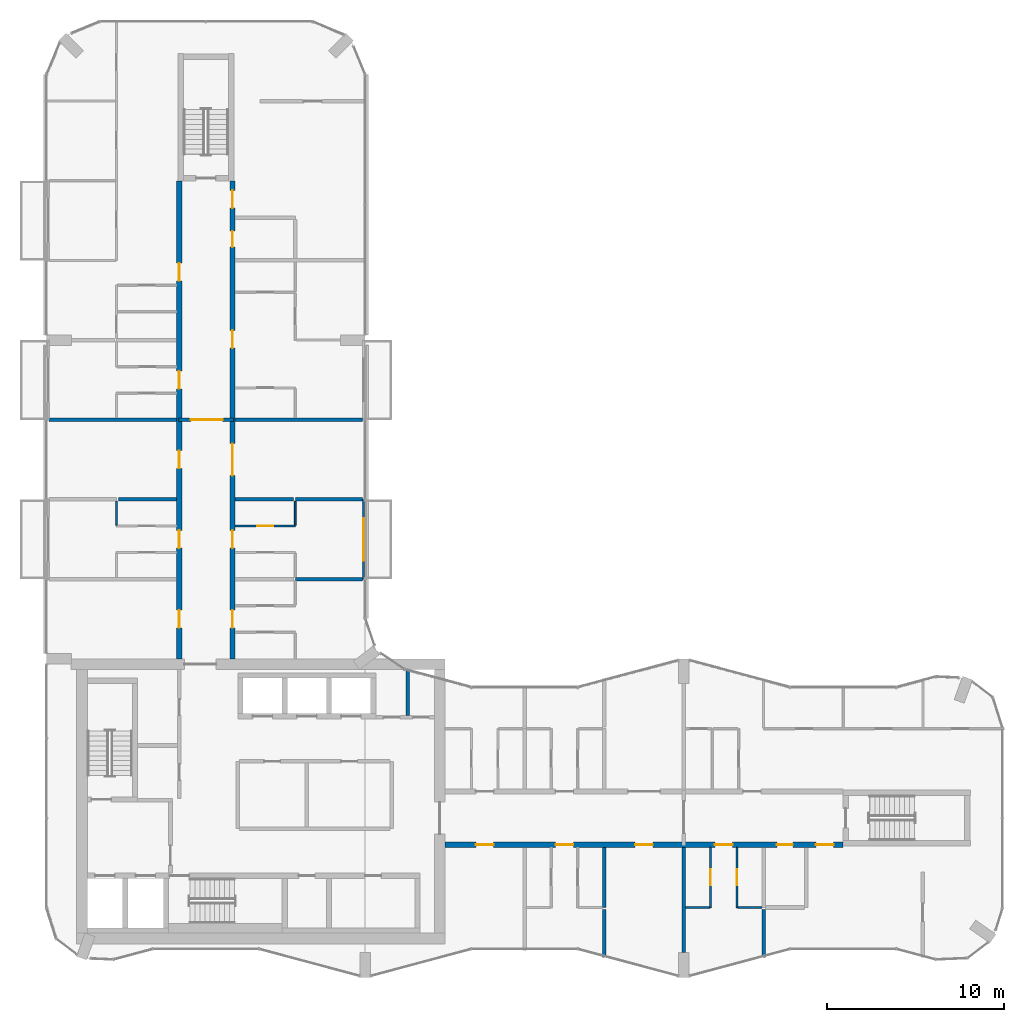
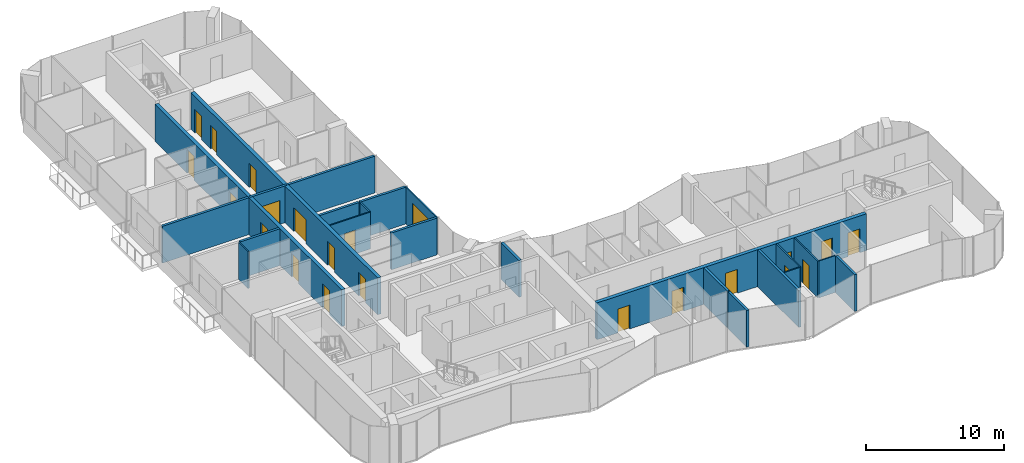
# One storey, part 11 of 16: 23 walls, 22 doors, 22 openings.
"""IFC4 building model written with IfcOpenShell, lengths in metres."""

import ifcopenshell
import ifcopenshell.guid

model = None  # the IFC model being written
_history = None  # IfcOwnerHistory: only IFC2X3 demands one
_inside = {}  # id of a spatial element -> (the spatial element, [elements in it])
_under = {}  # id of a project, library or spatial element -> (it, [spatial elements below it])
_declared = {}  # id of a project -> (the project, [libraries it declares])
_typed = {}  # id of a type object -> (the type object, [elements of that type])
_made_of = {}  # id of a material, layer set ... -> (it, [elements and type objects made of it])


def new_model(schema):
    """Start an empty IFC model of exactly this schema.

    Asked for "IFC4X3", IfcOpenShell would pick the latest addendum, in which some entities
    have other attributes; the version numbers below select the first issue.
    IFC2X3 requires an IfcOwnerHistory on every rooted entity: one is made here for all.
    """
    global model, _history
    if schema == "IFC4X3":
        model = ifcopenshell.file(schema_version=(4, 3, 0, 0))
    else:
        model = ifcopenshell.file(schema=schema)
    _inside.clear()
    _under.clear()
    _declared.clear()
    _typed.clear()
    _made_of.clear()
    _history = None
    if model.schema == "IFC2X3":
        org = make("IfcOrganization", Name="unknown")
        user = make(
            "IfcPersonAndOrganization",
            ThePerson=make("IfcPerson", FamilyName="unknown"),
            TheOrganization=org,
        )
        app = make(
            "IfcApplication",
            ApplicationDeveloper=org,
            Version="unknown",
            ApplicationFullName="unknown",
            ApplicationIdentifier="unknown",
        )
        _history = make(
            "IfcOwnerHistory",
            OwningUser=user,
            OwningApplication=app,
            ChangeAction="ADDED",
            CreationDate=0,
        )
    return model


def make(cls, **values):
    """One entity of the class cls with the attributes given. An attribute that is None is left unset."""
    return model.create_entity(
        cls, **{name: value for name, value in values.items() if value is not None}
    )


def rooted(cls, **values):
    """An entity with a GlobalId (a new one), such as an element, a storey or a relation."""
    return make(cls, GlobalId=ifcopenshell.guid.new(), OwnerHistory=_history, **values)


def si_unit(unit_type, name, prefix=None):
    """IfcSIUnit, for example si_unit("LENGTHUNIT", "METRE", prefix="MILLI")."""
    return make("IfcSIUnit", UnitType=unit_type, Prefix=prefix, Name=name)


def assignment(units):
    """IfcUnitAssignment: the units of a project."""
    return None if units is None else make("IfcUnitAssignment", Units=units)


def point(xyz):
    """IfcCartesianPoint."""
    return None if xyz is None else make("IfcCartesianPoint", Coordinates=xyz)


def direction(xyz):
    """IfcDirection."""
    return None if xyz is None else make("IfcDirection", DirectionRatios=xyz)


def frame(location, z_axis=None, x_axis=None):
    """IfcAxis2Placement3D, a coordinate frame: its origin and axes. An axis left out is left unset."""
    return make(
        "IfcAxis2Placement3D",
        Location=point(location),
        Axis=direction(z_axis),
        RefDirection=direction(x_axis),
    )


def frame_2d(location, x_axis=None):
    """IfcAxis2Placement2D, a coordinate frame in the plane: its origin and x axis."""
    return make(
        "IfcAxis2Placement2D", Location=point(location), RefDirection=direction(x_axis)
    )


def origin():
    """The frame at (0, 0, 0) with its axes left unset."""
    return frame((0.0, 0.0, 0.0))


def place(relative_to, where):
    """IfcLocalPlacement: puts the frame where relative to a parent placement (None: the world)."""
    return make(
        "IfcLocalPlacement", PlacementRelTo=relative_to, RelativePlacement=where
    )


def context(
    kind, dimensions, precision=None, world=None, true_north=None, identifier=None
):
    """IfcGeometricRepresentationContext, for example the 3D "Model" context."""
    return make(
        "IfcGeometricRepresentationContext",
        ContextIdentifier=identifier,
        ContextType=kind,
        CoordinateSpaceDimension=dimensions,
        Precision=precision,
        WorldCoordinateSystem=world,
        TrueNorth=true_north,
    )


def subcontext(parent, identifier, kind, view, scale=None):
    """IfcGeometricRepresentationSubContext, for example "Body" below "Model"."""
    return make(
        "IfcGeometricRepresentationSubContext",
        ContextIdentifier=identifier,
        ContextType=kind,
        ParentContext=parent,
        TargetScale=scale,
        TargetView=view,
    )


def project(units=None, contexts=None):
    """IfcProject with its units and contexts."""
    return rooted(
        "IfcProject",
        Name="project",
        RepresentationContexts=contexts,
        UnitsInContext=assignment(units),
    )


def spatial(cls, under=None, at=None, **own):
    """A site, building, storey or space (cls), placed at a placement, below another one or the project."""
    s = rooted(cls, ObjectPlacement=at, **own)
    if under is not None:
        _under.setdefault(under.id(), (under, []))[1].append(s)
    return s


def profile(cls, at=None, kind="AREA", **sizes):
    """A parametric profile (cls). Its sizes go by their IFC names, for example OverallWidth=200.0."""
    return make(cls, ProfileType=kind, Position=at, **sizes)


def rectangle(**sizes):
    """IfcRectangleProfileDef."""
    return profile("IfcRectangleProfileDef", **sizes)


def extrude(swept, where, along, depth):
    """IfcExtrudedAreaSolid: the profile swept, set in the frame where, extruded along a direction by depth."""
    return make(
        "IfcExtrudedAreaSolid",
        SweptArea=swept,
        Position=where,
        ExtrudedDirection=direction(along),
        Depth=depth,
    )


def shape(context_of_items, identifier, shape_type, items):
    """IfcShapeRepresentation: the items that make up one representation, for example the "Body"."""
    return make(
        "IfcShapeRepresentation",
        ContextOfItems=context_of_items,
        RepresentationIdentifier=identifier,
        RepresentationType=shape_type,
        Items=items,
    )


def material(Name=None, Category=None):
    """IfcMaterial."""
    return make("IfcMaterial", Name=Name, Category=Category)


def layer(
    of_material, thickness, ventilated=None, Name=None, Category=None, Priority=None
):
    """IfcMaterialLayer: one layer of a wall or slab, of a material (None: an air gap)."""
    return make(
        "IfcMaterialLayer",
        Material=of_material,
        LayerThickness=thickness,
        IsVentilated=ventilated,
        Name=Name,
        Category=Category,
        Priority=Priority,
    )


def layer_set(layers, Name=None):
    """IfcMaterialLayerSet."""
    return make("IfcMaterialLayerSet", MaterialLayers=layers, LayerSetName=Name)


def made_of(thing, what):
    """Note that an element or type object is made of a material, layer set ...; save() writes the relation."""
    if what is not None:
        _made_of.setdefault(what.id(), (what, []))[1].append(thing)
    return thing


def type_object(cls, material=None, **own):
    """A type object (cls), such as IfcWallType, which elements share."""
    return made_of(rooted(cls, **own), material)


def element(
    cls,
    number,
    at=None,
    inside=None,
    cuts=None,
    type_object=None,
    material=None,
    context=None,
    identifier="Body",
    shape_type=None,
    held_by="IfcProductDefinitionShape",
    body=None,
    shapes=None,
    **own,
):
    """One element of the class cls, such as IfcWall. Its Tag is "e" and its number.

    at: its placement. inside: the storey or other place that contains it. cuts: it is an
    opening in that element (IfcRelVoidsElement). A single representation is given by context,
    identifier, shape_type and body (its items); several are given by shapes. held_by: the class
    of the entity that holds the representations. save() writes the other relations.
    """
    e = rooted(cls, Tag="e%d" % number, ObjectPlacement=at, **own)
    if body is not None:
        shapes = [shape(context, identifier, shape_type, body)]
    if shapes is not None:
        e.Representation = make(held_by, Representations=shapes)
    if inside is not None:
        _inside.setdefault(inside.id(), (inside, []))[1].append(e)
    if cuts is not None:
        rooted(
            "IfcRelVoidsElement", RelatingBuildingElement=cuts, RelatedOpeningElement=e
        )
    if type_object is not None:
        _typed.setdefault(type_object.id(), (type_object, []))[1].append(e)
    return made_of(e, material)


def fill(opening, filler):
    """IfcRelFillsElement: the door or window that sits in an opening."""
    return rooted(
        "IfcRelFillsElement",
        RelatingOpeningElement=opening,
        RelatedBuildingElement=filler,
    )


def aggregate(whole, parts):
    """IfcRelAggregates: a whole, such as a stair, and the parts it consists of."""
    return rooted("IfcRelAggregates", RelatingObject=whole, RelatedObjects=parts)


def save(model, path):
    """Write the relations noted so far, then the file.

    IfcRelAggregates (storeys below a building ...), IfcRelContainedInSpatialStructure (elements
    in a storey), IfcRelDefinesByType, IfcRelAssociatesMaterial and IfcRelDeclares: one each for
    every whole, place, type object, material and project.
    """
    for whole, parts in _under.values():
        aggregate(whole, parts)
    for where, things in _inside.values():
        rooted(
            "IfcRelContainedInSpatialStructure",
            RelatedElements=things,
            RelatingStructure=where,
        )
    for kind, things in _typed.values():
        rooted("IfcRelDefinesByType", RelatedObjects=things, RelatingType=kind)
    for what, things in _made_of.values():
        rooted("IfcRelAssociatesMaterial", RelatedObjects=things, RelatingMaterial=what)
    for by, libraries in _declared.values():
        rooted("IfcRelDeclares", RelatingContext=by, RelatedDefinitions=libraries)
    model.write(path)


model = new_model("IFC4")

# Units and contexts
model_context = context("Model", 3, precision=1e-05, world=origin(), true_north=direction((0.0, 1.0)))
body_context = subcontext(model_context, "Body", "Model", "MODEL_VIEW")
ifc_project = project(units=[si_unit("LENGTHUNIT", "METRE"), si_unit("AREAUNIT", "SQUARE_METRE"), si_unit("VOLUMEUNIT", "CUBIC_METRE"), si_unit("PLANEANGLEUNIT", "RADIAN"), si_unit("MASSUNIT", "GRAM", prefix="KILO")], contexts=[model_context])

# Site, building, storey
site_placement = place(None, origin())
site = spatial("IfcSite", under=ifc_project, at=site_placement, CompositionType="ELEMENT")
building_placement = place(site_placement, origin())
building = spatial("IfcBuilding", under=site, at=building_placement, Name="Plateau Cross Towers", CompositionType="ELEMENT")
storey_placement = place(building_placement, frame((0.0, 0.0, 160.39990234375)))
storey = spatial("IfcBuildingStorey", under=building, at=storey_placement, Name="L41", CompositionType="ELEMENT", Elevation=160.39990234375)

# Wall, opening, door
ifc_material_1 = material(Name="Aluminium framed glazing", Category="aluminium")
ifc_layer_1 = layer(ifc_material_1, 0.10009765625)
ifc_layer_set_1 = layer_set([ifc_layer_1], Name="Aluminium framed glazing")
wall_type_1 = type_object("IfcWallType", Name="Balcony screen wall 100", PredefinedType="STANDARD", material=ifc_layer_set_1)
wall_1_placement = place(storey_placement, frame((17.89990234375, 27.0, 0.0), z_axis=(0.0, 0.0, 1.0), x_axis=(0.0, -1.0, 0.0)))
wall_1 = element("IfcWall", 1, at=wall_1_placement, inside=storey, type_object=wall_type_1, Name="Balcony screen wall A-BAL-L41-04", PredefinedType="STANDARD", context=body_context, shape_type="SweptSolid", body=[
    extrude(rectangle(XDim=4.5, YDim=0.10009765625, at=frame_2d((2.25, 0.0))), origin(), (0.0, 0.0, 1.0), 3.25),
])
opening_1_placement = place(wall_1_placement, frame((1.050048828125, 0.0, 0.0)))
opening_1 = element("IfcOpeningElement", 2, at=opening_1_placement, cuts=wall_1, Name="Opening D-B24", PredefinedType="OPENING", context=body_context, shape_type="SweptSolid", body=[
    extrude(rectangle(XDim=2.39990234375, YDim=2.39990234375, at=frame_2d((1.199951171875, 1.199951171875))), frame((0.0, 0.06005859375, 0.0), z_axis=(0.0, -1.0, 0.0), x_axis=(1.0, 0.0, 0.0)), (0.0, 0.0, 1.0), 0.1201171875),
])
ifc_material_2 = material(Name="Aluminium frame, double glazing", Category="aluminium")
door_type_1 = type_object("IfcDoorType", Name="Balcony sliding door 2400", OperationType="NOTDEFINED", PredefinedType="DOOR", material=ifc_material_2)
door_1_placement = place(opening_1_placement, origin())
door_1 = element("IfcDoor", 3, at=door_1_placement, inside=storey, type_object=door_type_1, Name="Balcony door A-BAL-L41-04", OperationType="SINGLE_SWING_LEFT", OverallHeight=2.39990234375, OverallWidth=2.39990234375, PredefinedType="DOOR", context=body_context, shape_type="SweptSolid", body=[
    extrude(rectangle(XDim=2.39990234375, YDim=2.39990234375, at=frame_2d((1.199951171875, 1.199951171875))), frame((0.0, 0.02490234375, 0.0), z_axis=(0.0, -1.0, 0.0), x_axis=(1.0, 0.0, 0.0)), (0.0, 0.0, 1.0), 0.050048828125),
])
fill(opening_1, door_1)

# Wall
ifc_material_3 = material(Name="Concrete block, plastered both sides", Category="concrete")
ifc_layer_2 = layer(ifc_material_3, 0.199951171875)
ifc_layer_set_2 = layer_set([ifc_layer_2], Name="Concrete block, plastered both sides")
wall_type_2 = type_object("IfcWallType", Name="Core partition 200", PredefinedType="PARTITIONING", material=ifc_layer_set_2)
wall_2_placement = place(storey_placement, frame((20.39990234375, 14.800048828125, 0.0), z_axis=(0.0, 0.0, 1.0), x_axis=(0.0, 1.0, 0.0)))
element("IfcWall", 4, at=wall_2_placement, inside=storey, type_object=wall_type_2, Name="Core partition", PredefinedType="PARTITIONING", context=body_context, shape_type="SweptSolid", body=[
    extrude(rectangle(XDim=2.599853515625, YDim=0.199951171875, at=frame_2d((1.2998046875, 0.0))), origin(), (0.0, 0.0, 1.0), 3.25),
])

# Wall, openings, doors
ifc_material_4 = material(Name="Concrete C60/75", Category="concrete")
ifc_layer_3 = layer(ifc_material_4, 0.300048828125)
ifc_layer_set_3 = layer_set([ifc_layer_3], Name="Concrete C60/75")
wall_type_3 = type_object("IfcWallType", Name="Corridor wall 300", PredefinedType="SHEAR", material=ifc_layer_set_3)
wall_3_placement = place(storey_placement, frame((22.5, 7.5, 0.0), z_axis=(0.0, 0.0, 1.0), x_axis=(1.0, 0.0, 0.0)))
wall_3 = element("IfcWall", 5, at=wall_3_placement, inside=storey, type_object=wall_type_3, Name="A-cw-S1@L41", PredefinedType="SHEAR", context=body_context, shape_type="SweptSolid", body=[
    extrude(rectangle(XDim=22.5, YDim=0.300048828125, at=frame_2d((11.25, 0.0))), origin(), (0.0, 0.0, 1.0), 3.25),
])
opening_2_placement = place(wall_3_placement, frame((1.75, 0.0, 0.0)))
opening_2 = element("IfcOpeningElement", 6, at=opening_2_placement, cuts=wall_3, Name="Opening 41-01", PredefinedType="OPENING", context=body_context, shape_type="SweptSolid", body=[
    extrude(rectangle(XDim=1.0, YDim=2.10009765625, at=frame_2d((0.5, 1.050048828125))), frame((0.0, 0.159912109375, 0.0), z_axis=(0.0, -1.0, 0.0), x_axis=(1.0, 0.0, 0.0)), (0.0, 0.0, 1.0), 0.320068359375),
])
opening_3_placement = place(wall_3_placement, frame((6.25, 0.0, 0.0)))
opening_3 = element("IfcOpeningElement", 7, at=opening_3_placement, cuts=wall_3, Name="Opening 41-02", PredefinedType="OPENING", context=body_context, shape_type="SweptSolid", body=[
    extrude(rectangle(XDim=1.0, YDim=2.10009765625, at=frame_2d((0.5, 1.050048828125))), frame((0.0, 0.159912109375, 0.0), z_axis=(0.0, -1.0, 0.0), x_axis=(1.0, 0.0, 0.0)), (0.0, 0.0, 1.0), 0.320068359375),
])
opening_4_placement = place(wall_3_placement, frame((10.75, 0.0, 0.0)))
opening_4 = element("IfcOpeningElement", 8, at=opening_4_placement, cuts=wall_3, Name="Opening 41-03", PredefinedType="OPENING", context=body_context, shape_type="SweptSolid", body=[
    extrude(rectangle(XDim=1.0, YDim=2.10009765625, at=frame_2d((0.5, 1.050048828125))), frame((0.0, 0.159912109375, 0.0), z_axis=(0.0, -1.0, 0.0), x_axis=(1.0, 0.0, 0.0)), (0.0, 0.0, 1.0), 0.320068359375),
])
opening_5_placement = place(wall_3_placement, frame((15.25, 0.0, 0.0)))
opening_5 = element("IfcOpeningElement", 9, at=opening_5_placement, cuts=wall_3, Name="Opening 41-04", PredefinedType="OPENING", context=body_context, shape_type="SweptSolid", body=[
    extrude(rectangle(XDim=1.0, YDim=2.10009765625, at=frame_2d((0.5, 1.050048828125))), frame((0.0, 0.159912109375, 0.0), z_axis=(0.0, -1.0, 0.0), x_axis=(1.0, 0.0, 0.0)), (0.0, 0.0, 1.0), 0.320068359375),
])
opening_6_placement = place(wall_3_placement, frame((18.75, 0.0, 0.0)))
opening_6 = element("IfcOpeningElement", 10, at=opening_6_placement, cuts=wall_3, Name="Opening 41-05", PredefinedType="OPENING", context=body_context, shape_type="SweptSolid", body=[
    extrude(rectangle(XDim=0.89990234375, YDim=2.10009765625, at=frame_2d((0.449951171875, 1.050048828125))), frame((0.0, 0.159912109375, 0.0), z_axis=(0.0, -1.0, 0.0), x_axis=(1.0, 0.0, 0.0)), (0.0, 0.0, 1.0), 0.320068359375),
])
opening_7_placement = place(wall_3_placement, frame((20.949951171875, 0.0, 0.0)))
opening_7 = element("IfcOpeningElement", 11, at=opening_7_placement, cuts=wall_3, Name="Opening 41-06", PredefinedType="OPENING", context=body_context, shape_type="SweptSolid", body=[
    extrude(rectangle(XDim=1.0, YDim=2.10009765625, at=frame_2d((0.5, 1.050048828125))), frame((0.0, 0.159912109375, 0.0), z_axis=(0.0, -1.0, 0.0), x_axis=(1.0, 0.0, 0.0)), (0.0, 0.0, 1.0), 0.320068359375),
])
ifc_material_5 = material(Name="Timber, fire-resisting leaf", Category="wood")
door_type_2 = type_object("IfcDoorType", Name="Flat entrance door 1000", OperationType="NOTDEFINED", PredefinedType="DOOR", material=ifc_material_5)
door_2_placement = place(opening_2_placement, origin())
door_2 = element("IfcDoor", 12, at=door_2_placement, inside=storey, type_object=door_type_2, Name="Door 41-01", OperationType="SINGLE_SWING_LEFT", OverallHeight=2.10009765625, OverallWidth=1.0, PredefinedType="DOOR", context=body_context, shape_type="SweptSolid", body=[
    extrude(rectangle(XDim=1.0, YDim=2.10009765625, at=frame_2d((0.5, 1.050048828125))), frame((0.0, 0.02490234375, 0.0), z_axis=(0.0, -1.0, 0.0), x_axis=(1.0, 0.0, 0.0)), (0.0, 0.0, 1.0), 0.050048828125),
])
fill(opening_2, door_2)
door_3_placement = place(opening_3_placement, origin())
door_3 = element("IfcDoor", 13, at=door_3_placement, inside=storey, type_object=door_type_2, Name="Door 41-02", OperationType="SINGLE_SWING_LEFT", OverallHeight=2.10009765625, OverallWidth=1.0, PredefinedType="DOOR", context=body_context, shape_type="SweptSolid", body=[
    extrude(rectangle(XDim=1.0, YDim=2.10009765625, at=frame_2d((0.5, 1.050048828125))), frame((0.0, 0.02490234375, 0.0), z_axis=(0.0, -1.0, 0.0), x_axis=(1.0, 0.0, 0.0)), (0.0, 0.0, 1.0), 0.050048828125),
])
fill(opening_3, door_3)
door_4_placement = place(opening_4_placement, origin())
door_4 = element("IfcDoor", 14, at=door_4_placement, inside=storey, type_object=door_type_2, Name="Door 41-03", OperationType="SINGLE_SWING_LEFT", OverallHeight=2.10009765625, OverallWidth=1.0, PredefinedType="DOOR", context=body_context, shape_type="SweptSolid", body=[
    extrude(rectangle(XDim=1.0, YDim=2.10009765625, at=frame_2d((0.5, 1.050048828125))), frame((0.0, 0.02490234375, 0.0), z_axis=(0.0, -1.0, 0.0), x_axis=(1.0, 0.0, 0.0)), (0.0, 0.0, 1.0), 0.050048828125),
])
fill(opening_4, door_4)
door_5_placement = place(opening_5_placement, origin())
door_5 = element("IfcDoor", 15, at=door_5_placement, inside=storey, type_object=door_type_2, Name="Door 41-04", OperationType="SINGLE_SWING_RIGHT", OverallHeight=2.10009765625, OverallWidth=1.0, PredefinedType="DOOR", context=body_context, shape_type="SweptSolid", body=[
    extrude(rectangle(XDim=1.0, YDim=2.10009765625, at=frame_2d((0.5, 1.050048828125))), frame((0.0, 0.02490234375, 0.0), z_axis=(0.0, -1.0, 0.0), x_axis=(1.0, 0.0, 0.0)), (0.0, 0.0, 1.0), 0.050048828125),
])
fill(opening_5, door_5)
door_6_placement = place(opening_7_placement, origin())
door_6 = element("IfcDoor", 16, at=door_6_placement, inside=storey, type_object=door_type_2, Name="Door 41-06", OperationType="SINGLE_SWING_RIGHT", OverallHeight=2.10009765625, OverallWidth=1.0, PredefinedType="DOOR", context=body_context, shape_type="SweptSolid", body=[
    extrude(rectangle(XDim=1.0, YDim=2.10009765625, at=frame_2d((0.5, 1.050048828125))), frame((0.0, 0.02490234375, 0.0), z_axis=(0.0, -1.0, 0.0), x_axis=(1.0, 0.0, 0.0)), (0.0, 0.0, 1.0), 0.050048828125),
])
fill(opening_7, door_6)
door_type_3 = type_object("IfcDoorType", Name="Flat floor service door 900", OperationType="NOTDEFINED", PredefinedType="DOOR", material=ifc_material_5)
door_7_placement = place(opening_6_placement, origin())
door_7 = element("IfcDoor", 17, at=door_7_placement, inside=storey, type_object=door_type_3, Name="Door 41-05", OperationType="SINGLE_SWING_RIGHT", OverallHeight=2.10009765625, OverallWidth=0.89990234375, PredefinedType="DOOR", context=body_context, shape_type="SweptSolid", body=[
    extrude(rectangle(XDim=0.89990234375, YDim=2.10009765625, at=frame_2d((0.449951171875, 1.050048828125))), frame((0.0, 0.02490234375, 0.0), z_axis=(0.0, -1.0, 0.0), x_axis=(1.0, 0.0, 0.0)), (0.0, 0.0, 1.0), 0.050048828125),
])
fill(opening_6, door_7)

wall_4_placement = place(storey_placement, frame((7.5, 18.0, 0.0), z_axis=(0.0, 0.0, 1.0), x_axis=(0.0, 1.0, 0.0)))
wall_4 = element("IfcWall", 18, at=wall_4_placement, inside=storey, type_object=wall_type_3, Name="A-cw-W1@L41", PredefinedType="SHEAR", context=body_context, shape_type="SweptSolid", body=[
    extrude(rectangle(XDim=27.0, YDim=0.300048828125, at=frame_2d((13.5, 0.0))), origin(), (0.0, 0.0, 1.0), 3.25),
])
opening_8_placement = place(wall_4_placement, frame((1.75, 0.0, 0.0)))
opening_8 = element("IfcOpeningElement", 19, at=opening_8_placement, cuts=wall_4, Name="Opening 41-11", PredefinedType="OPENING", context=body_context, shape_type="SweptSolid", body=[
    extrude(rectangle(XDim=1.0, YDim=2.10009765625, at=frame_2d((0.5, 1.050048828125))), frame((0.0, 0.159912109375, 0.0), z_axis=(0.0, -1.0, 0.0), x_axis=(1.0, 0.0, 0.0)), (0.0, 0.0, 1.0), 0.320068359375),
])
opening_9_placement = place(wall_4_placement, frame((6.25, 0.0, 0.0)))
opening_9 = element("IfcOpeningElement", 20, at=opening_9_placement, cuts=wall_4, Name="Opening 41-12", PredefinedType="OPENING", context=body_context, shape_type="SweptSolid", body=[
    extrude(rectangle(XDim=1.0, YDim=2.10009765625, at=frame_2d((0.5, 1.050048828125))), frame((0.0, 0.159912109375, 0.0), z_axis=(0.0, -1.0, 0.0), x_axis=(1.0, 0.0, 0.0)), (0.0, 0.0, 1.0), 0.320068359375),
])
opening_10_placement = place(wall_4_placement, frame((10.75, 0.0, 0.0)))
opening_10 = element("IfcOpeningElement", 21, at=opening_10_placement, cuts=wall_4, Name="Opening 41-13", PredefinedType="OPENING", context=body_context, shape_type="SweptSolid", body=[
    extrude(rectangle(XDim=1.0, YDim=2.10009765625, at=frame_2d((0.5, 1.050048828125))), frame((0.0, 0.159912109375, 0.0), z_axis=(0.0, -1.0, 0.0), x_axis=(1.0, 0.0, 0.0)), (0.0, 0.0, 1.0), 0.320068359375),
])
opening_11_placement = place(wall_4_placement, frame((15.25, 0.0, 0.0)))
opening_11 = element("IfcOpeningElement", 22, at=opening_11_placement, cuts=wall_4, Name="Opening 41-14", PredefinedType="OPENING", context=body_context, shape_type="SweptSolid", body=[
    extrude(rectangle(XDim=1.0, YDim=2.10009765625, at=frame_2d((0.5, 1.050048828125))), frame((0.0, 0.159912109375, 0.0), z_axis=(0.0, -1.0, 0.0), x_axis=(1.0, 0.0, 0.0)), (0.0, 0.0, 1.0), 0.320068359375),
])
opening_12_placement = place(wall_4_placement, frame((21.35009765625, 0.0, 0.0)))
opening_12 = element("IfcOpeningElement", 23, at=opening_12_placement, cuts=wall_4, Name="Opening 41-15", PredefinedType="OPENING", context=body_context, shape_type="SweptSolid", body=[
    extrude(rectangle(XDim=1.0, YDim=2.10009765625, at=frame_2d((0.5, 1.050048828125))), frame((0.0, 0.159912109375, 0.0), z_axis=(0.0, -1.0, 0.0), x_axis=(1.0, 0.0, 0.0)), (0.0, 0.0, 1.0), 0.320068359375),
])
door_8_placement = place(opening_8_placement, origin())
door_8 = element("IfcDoor", 24, at=door_8_placement, inside=storey, type_object=door_type_2, Name="Door 41-11", OperationType="SINGLE_SWING_LEFT", OverallHeight=2.10009765625, OverallWidth=1.0, PredefinedType="DOOR", context=body_context, shape_type="SweptSolid", body=[
    extrude(rectangle(XDim=1.0, YDim=2.10009765625, at=frame_2d((0.5, 1.050048828125))), frame((0.0, 0.02490234375, 0.0), z_axis=(0.0, -1.0, 0.0), x_axis=(1.0, 0.0, 0.0)), (0.0, 0.0, 1.0), 0.050048828125),
])
fill(opening_8, door_8)
door_9_placement = place(opening_9_placement, origin())
door_9 = element("IfcDoor", 25, at=door_9_placement, inside=storey, type_object=door_type_2, Name="Door 41-12", OperationType="SINGLE_SWING_LEFT", OverallHeight=2.10009765625, OverallWidth=1.0, PredefinedType="DOOR", context=body_context, shape_type="SweptSolid", body=[
    extrude(rectangle(XDim=1.0, YDim=2.10009765625, at=frame_2d((0.5, 1.050048828125))), frame((0.0, 0.02490234375, 0.0), z_axis=(0.0, -1.0, 0.0), x_axis=(1.0, 0.0, 0.0)), (0.0, 0.0, 1.0), 0.050048828125),
])
fill(opening_9, door_9)
door_10_placement = place(opening_10_placement, origin())
door_10 = element("IfcDoor", 26, at=door_10_placement, inside=storey, type_object=door_type_2, Name="Door 41-13", OperationType="SINGLE_SWING_LEFT", OverallHeight=2.10009765625, OverallWidth=1.0, PredefinedType="DOOR", context=body_context, shape_type="SweptSolid", body=[
    extrude(rectangle(XDim=1.0, YDim=2.10009765625, at=frame_2d((0.5, 1.050048828125))), frame((0.0, 0.02490234375, 0.0), z_axis=(0.0, -1.0, 0.0), x_axis=(1.0, 0.0, 0.0)), (0.0, 0.0, 1.0), 0.050048828125),
])
fill(opening_10, door_10)
door_11_placement = place(opening_11_placement, origin())
door_11 = element("IfcDoor", 27, at=door_11_placement, inside=storey, type_object=door_type_2, Name="Door 41-14", OperationType="SINGLE_SWING_RIGHT", OverallHeight=2.10009765625, OverallWidth=1.0, PredefinedType="DOOR", context=body_context, shape_type="SweptSolid", body=[
    extrude(rectangle(XDim=1.0, YDim=2.10009765625, at=frame_2d((0.5, 1.050048828125))), frame((0.0, 0.02490234375, 0.0), z_axis=(0.0, -1.0, 0.0), x_axis=(1.0, 0.0, 0.0)), (0.0, 0.0, 1.0), 0.050048828125),
])
fill(opening_11, door_11)
door_12_placement = place(opening_12_placement, origin())
door_12 = element("IfcDoor", 28, at=door_12_placement, inside=storey, type_object=door_type_2, Name="Door 41-15", OperationType="SINGLE_SWING_RIGHT", OverallHeight=2.10009765625, OverallWidth=1.0, PredefinedType="DOOR", context=body_context, shape_type="SweptSolid", body=[
    extrude(rectangle(XDim=1.0, YDim=2.10009765625, at=frame_2d((0.5, 1.050048828125))), frame((0.0, 0.02490234375, 0.0), z_axis=(0.0, -1.0, 0.0), x_axis=(1.0, 0.0, 0.0)), (0.0, 0.0, 1.0), 0.050048828125),
])
fill(opening_12, door_12)

wall_5_placement = place(storey_placement, frame((10.5, 18.0, 0.0), z_axis=(0.0, 0.0, 1.0), x_axis=(0.0, 1.0, 0.0)))
wall_5 = element("IfcWall", 29, at=wall_5_placement, inside=storey, type_object=wall_type_3, Name="A-cw-W2@L41", PredefinedType="SHEAR", context=body_context, shape_type="SweptSolid", body=[
    extrude(rectangle(XDim=27.0, YDim=0.300048828125, at=frame_2d((13.5, 0.0))), origin(), (0.0, 0.0, 1.0), 3.25),
])
opening_13_placement = place(wall_5_placement, frame((1.75, 0.0, 0.0)))
opening_13 = element("IfcOpeningElement", 30, at=opening_13_placement, cuts=wall_5, Name="Opening 41-16", PredefinedType="OPENING", context=body_context, shape_type="SweptSolid", body=[
    extrude(rectangle(XDim=1.0, YDim=2.10009765625, at=frame_2d((0.5, 1.050048828125))), frame((0.0, 0.159912109375, 0.0), z_axis=(0.0, -1.0, 0.0), x_axis=(1.0, 0.0, 0.0)), (0.0, 0.0, 1.0), 0.320068359375),
])
opening_14_placement = place(wall_5_placement, frame((6.25, 0.0, 0.0)))
opening_14 = element("IfcOpeningElement", 31, at=opening_14_placement, cuts=wall_5, Name="Opening 41-17", PredefinedType="OPENING", context=body_context, shape_type="SweptSolid", body=[
    extrude(rectangle(XDim=1.0, YDim=2.10009765625, at=frame_2d((0.5, 1.050048828125))), frame((0.0, 0.159912109375, 0.0), z_axis=(0.0, -1.0, 0.0), x_axis=(1.0, 0.0, 0.0)), (0.0, 0.0, 1.0), 0.320068359375),
])
opening_15_placement = place(wall_5_placement, frame((10.35009765625, 0.0, 0.0)))
opening_15 = element("IfcOpeningElement", 32, at=opening_15_placement, cuts=wall_5, Name="Opening 41-18", PredefinedType="OPENING", context=body_context, shape_type="SweptSolid", body=[
    extrude(rectangle(XDim=1.800048828125, YDim=2.10009765625, at=frame_2d((0.89990234375, 1.050048828125))), frame((0.0, 0.159912109375, 0.0), z_axis=(0.0, -1.0, 0.0), x_axis=(1.0, 0.0, 0.0)), (0.0, 0.0, 1.0), 0.320068359375),
])
opening_16_placement = place(wall_5_placement, frame((17.550048828125, 0.0, 0.0)))
opening_16 = element("IfcOpeningElement", 33, at=opening_16_placement, cuts=wall_5, Name="Opening 41-19", PredefinedType="OPENING", context=body_context, shape_type="SweptSolid", body=[
    extrude(rectangle(XDim=1.0, YDim=2.10009765625, at=frame_2d((0.5, 1.050048828125))), frame((0.0, 0.159912109375, 0.0), z_axis=(0.0, -1.0, 0.0), x_axis=(1.0, 0.0, 0.0)), (0.0, 0.0, 1.0), 0.320068359375),
])
opening_17_placement = place(wall_5_placement, frame((23.25, 0.0, 0.0)))
opening_17 = element("IfcOpeningElement", 34, at=opening_17_placement, cuts=wall_5, Name="Opening 41-20", PredefinedType="OPENING", context=body_context, shape_type="SweptSolid", body=[
    extrude(rectangle(XDim=0.89990234375, YDim=2.10009765625, at=frame_2d((0.449951171875, 1.050048828125))), frame((0.0, 0.159912109375, 0.0), z_axis=(0.0, -1.0, 0.0), x_axis=(1.0, 0.0, 0.0)), (0.0, 0.0, 1.0), 0.320068359375),
])
opening_18_placement = place(wall_5_placement, frame((25.449951171875, 0.0, 0.0)))
opening_18 = element("IfcOpeningElement", 35, at=opening_18_placement, cuts=wall_5, Name="Opening 41-21", PredefinedType="OPENING", context=body_context, shape_type="SweptSolid", body=[
    extrude(rectangle(XDim=1.0, YDim=2.10009765625, at=frame_2d((0.5, 1.050048828125))), frame((0.0, 0.159912109375, 0.0), z_axis=(0.0, -1.0, 0.0), x_axis=(1.0, 0.0, 0.0)), (0.0, 0.0, 1.0), 0.320068359375),
])
door_13_placement = place(opening_13_placement, origin())
door_13 = element("IfcDoor", 36, at=door_13_placement, inside=storey, type_object=door_type_2, Name="Door 41-16", OperationType="SINGLE_SWING_LEFT", OverallHeight=2.10009765625, OverallWidth=1.0, PredefinedType="DOOR", context=body_context, shape_type="SweptSolid", body=[
    extrude(rectangle(XDim=1.0, YDim=2.10009765625, at=frame_2d((0.5, 1.050048828125))), frame((0.0, 0.02490234375, 0.0), z_axis=(0.0, -1.0, 0.0), x_axis=(1.0, 0.0, 0.0)), (0.0, 0.0, 1.0), 0.050048828125),
])
fill(opening_13, door_13)
door_14_placement = place(opening_14_placement, origin())
door_14 = element("IfcDoor", 37, at=door_14_placement, inside=storey, type_object=door_type_2, Name="Door 41-17", OperationType="SINGLE_SWING_LEFT", OverallHeight=2.10009765625, OverallWidth=1.0, PredefinedType="DOOR", context=body_context, shape_type="SweptSolid", body=[
    extrude(rectangle(XDim=1.0, YDim=2.10009765625, at=frame_2d((0.5, 1.050048828125))), frame((0.0, 0.02490234375, 0.0), z_axis=(0.0, -1.0, 0.0), x_axis=(1.0, 0.0, 0.0)), (0.0, 0.0, 1.0), 0.050048828125),
])
fill(opening_14, door_14)
door_15_placement = place(opening_16_placement, origin())
door_15 = element("IfcDoor", 38, at=door_15_placement, inside=storey, type_object=door_type_2, Name="Door 41-19", OperationType="SINGLE_SWING_RIGHT", OverallHeight=2.10009765625, OverallWidth=1.0, PredefinedType="DOOR", context=body_context, shape_type="SweptSolid", body=[
    extrude(rectangle(XDim=1.0, YDim=2.10009765625, at=frame_2d((0.5, 1.050048828125))), frame((0.0, 0.02490234375, 0.0), z_axis=(0.0, -1.0, 0.0), x_axis=(1.0, 0.0, 0.0)), (0.0, 0.0, 1.0), 0.050048828125),
])
fill(opening_16, door_15)
door_16_placement = place(opening_18_placement, origin())
door_16 = element("IfcDoor", 39, at=door_16_placement, inside=storey, type_object=door_type_2, Name="Door 41-21", OperationType="SINGLE_SWING_RIGHT", OverallHeight=2.10009765625, OverallWidth=1.0, PredefinedType="DOOR", context=body_context, shape_type="SweptSolid", body=[
    extrude(rectangle(XDim=1.0, YDim=2.10009765625, at=frame_2d((0.5, 1.050048828125))), frame((0.0, 0.02490234375, 0.0), z_axis=(0.0, -1.0, 0.0), x_axis=(1.0, 0.0, 0.0)), (0.0, 0.0, 1.0), 0.050048828125),
])
fill(opening_18, door_16)
ifc_material_6 = material(Name="Timber, fire-resisting leaves", Category="wood")
door_type_4 = type_object("IfcDoorType", Name="Flat floor fire door pair 1800", OperationType="NOTDEFINED", PredefinedType="DOOR", material=ifc_material_6)
door_17_placement = place(opening_15_placement, origin())
door_17 = element("IfcDoor", 40, at=door_17_placement, inside=storey, type_object=door_type_4, Name="Door 41-18", OperationType="SINGLE_SWING_LEFT", OverallHeight=2.10009765625, OverallWidth=1.800048828125, PredefinedType="DOOR", context=body_context, shape_type="SweptSolid", body=[
    extrude(rectangle(XDim=1.800048828125, YDim=2.10009765625, at=frame_2d((0.89990234375, 1.050048828125))), frame((0.0, 0.02490234375, 0.0), z_axis=(0.0, -1.0, 0.0), x_axis=(1.0, 0.0, 0.0)), (0.0, 0.0, 1.0), 0.050048828125),
])
fill(opening_15, door_17)
door_18_placement = place(opening_17_placement, origin())
door_18 = element("IfcDoor", 41, at=door_18_placement, inside=storey, type_object=door_type_3, Name="Door 41-20", OperationType="SINGLE_SWING_RIGHT", OverallHeight=2.10009765625, OverallWidth=0.89990234375, PredefinedType="DOOR", context=body_context, shape_type="SweptSolid", body=[
    extrude(rectangle(XDim=0.89990234375, YDim=2.10009765625, at=frame_2d((0.449951171875, 1.050048828125))), frame((0.0, 0.02490234375, 0.0), z_axis=(0.0, -1.0, 0.0), x_axis=(1.0, 0.0, 0.0)), (0.0, 0.0, 1.0), 0.050048828125),
])
fill(opening_17, door_18)

# Walls
ifc_material_7 = material(Name="Gypsum board on steel studs", Category="steel")
ifc_layer_4 = layer(ifc_material_7, 0.10009765625)
ifc_layer_set_4 = layer_set([ifc_layer_4], Name="Gypsum board on steel studs")
wall_type_4 = type_object("IfcWallType", Name="Flat partition 100", PredefinedType="PARTITIONING", material=ifc_layer_set_4)
for number, where, z_axis, x_axis, name in (
    (42, (36.10009765625, 3.949951171875, 0.0), (0.0, 0.0, 1.0), (1.0, 0.0, 0.0), "Partition wall"),
    (43, (39.050048828125, 3.949951171875, 0.0), (0.0, 0.0, 1.0), (1.0, 0.0, 0.0), "Partition wall"),
):
    element("IfcWall", number, at=place(storey_placement, frame(where, z_axis=z_axis, x_axis=x_axis)), inside=storey, type_object=wall_type_4, Name=name, PredefinedType="PARTITIONING", context=body_context, shape_type="SweptSolid", body=[
        extrude(rectangle(XDim=1.349853515625, YDim=0.10009765625, at=frame_2d((0.6748046875, 0.0))), origin(), (0.0, 0.0, 1.0), 3.25),
    ])

# Wall, opening, door
wall_6_placement = place(storey_placement, frame((10.64990234375, 25.5, 0.0), z_axis=(0.0, 0.0, 1.0), x_axis=(1.0, 0.0, 0.0)))
wall_6 = element("IfcWall", 44, at=wall_6_placement, inside=storey, type_object=wall_type_4, Name="Partition wall", PredefinedType="PARTITIONING", context=body_context, shape_type="SweptSolid", body=[
    extrude(rectangle(XDim=3.400146484375, YDim=0.10009765625, at=frame_2d((1.7001953125, 0.0))), origin(), (0.0, 0.0, 1.0), 3.25),
])
opening_19_placement = place(wall_6_placement, frame((1.25, 0.0, 0.0)))
opening_19 = element("IfcOpeningElement", 45, at=opening_19_placement, cuts=wall_6, Name="Opening 41-51", PredefinedType="OPENING", context=body_context, shape_type="SweptSolid", body=[
    extrude(rectangle(XDim=0.89990234375, YDim=2.10009765625, at=frame_2d((0.449951171875, 1.050048828125))), frame((0.0, 0.06005859375, 0.0), z_axis=(0.0, -1.0, 0.0), x_axis=(1.0, 0.0, 0.0)), (0.0, 0.0, 1.0), 0.1201171875),
])
ifc_material_8 = material(Name="Timber leaf", Category="wood")
door_type_5 = type_object("IfcDoorType", Name="Flat room door 900", OperationType="NOTDEFINED", PredefinedType="DOOR", material=ifc_material_8)
door_19_placement = place(opening_19_placement, origin())
door_19 = element("IfcDoor", 46, at=door_19_placement, inside=storey, type_object=door_type_5, Name="Door 41-51", OperationType="SINGLE_SWING_LEFT", OverallHeight=2.10009765625, OverallWidth=0.89990234375, PredefinedType="DOOR", context=body_context, shape_type="SweptSolid", body=[
    extrude(rectangle(XDim=0.89990234375, YDim=2.10009765625, at=frame_2d((0.449951171875, 1.050048828125))), frame((0.0, 0.02490234375, 0.0), z_axis=(0.0, -1.0, 0.0), x_axis=(1.0, 0.0, 0.0)), (0.0, 0.0, 1.0), 0.050048828125),
])
fill(opening_19, door_19)

# Walls
for number, where, z_axis, x_axis, name in (
    (47, (3.949951171875, 26.89990234375, 0.0), (0.0, 0.0, 1.0), (0.0, -1.0, 0.0), "Partition wall"),
    (48, (14.050048828125, 25.550048828125, 0.0), (0.0, 0.0, 1.0), (0.0, 1.0, 0.0), "Partition wall"),
):
    element("IfcWall", number, at=place(storey_placement, frame(where, z_axis=z_axis, x_axis=x_axis)), inside=storey, type_object=wall_type_4, Name=name, PredefinedType="PARTITIONING", context=body_context, shape_type="SweptSolid", body=[
        extrude(rectangle(XDim=1.349853515625, YDim=0.10009765625, at=frame_2d((0.6748046875, 0.0))), origin(), (0.0, 0.0, 1.0), 3.25),
    ])

# Wall, opening, door
wall_7_placement = place(storey_placement, frame((37.5, 3.949951171875, 0.0), z_axis=(0.0, 0.0, 1.0), x_axis=(0.0, 1.0, 0.0)))
wall_7 = element("IfcWall", 49, at=wall_7_placement, inside=storey, type_object=wall_type_4, Name="Partition wall", PredefinedType="PARTITIONING", context=body_context, shape_type="SweptSolid", body=[
    extrude(rectangle(XDim=3.400146484375, YDim=0.10009765625, at=frame_2d((1.7001953125, 0.0))), origin(), (0.0, 0.0, 1.0), 3.25),
])
opening_20_placement = place(wall_7_placement, frame((1.25, 0.0, 0.0)))
opening_20 = element("IfcOpeningElement", 50, at=opening_20_placement, cuts=wall_7, Name="Opening 41-28", PredefinedType="OPENING", context=body_context, shape_type="SweptSolid", body=[
    extrude(rectangle(XDim=0.89990234375, YDim=2.10009765625, at=frame_2d((0.449951171875, 1.050048828125))), frame((0.0, 0.06005859375, 0.0), z_axis=(0.0, -1.0, 0.0), x_axis=(1.0, 0.0, 0.0)), (0.0, 0.0, 1.0), 0.1201171875),
])
door_20_placement = place(opening_20_placement, origin())
door_20 = element("IfcDoor", 51, at=door_20_placement, inside=storey, type_object=door_type_5, Name="Door 41-28", OperationType="SINGLE_SWING_RIGHT", OverallHeight=2.10009765625, OverallWidth=0.89990234375, PredefinedType="DOOR", context=body_context, shape_type="SweptSolid", body=[
    extrude(rectangle(XDim=0.89990234375, YDim=2.10009765625, at=frame_2d((0.449951171875, 1.050048828125))), frame((0.0, 0.02490234375, 0.0), z_axis=(0.0, -1.0, 0.0), x_axis=(1.0, 0.0, 0.0)), (0.0, 0.0, 1.0), 0.050048828125),
])
fill(opening_20, door_20)

wall_8_placement = place(storey_placement, frame((39.0, 7.35009765625, 0.0), z_axis=(0.0, 0.0, 1.0), x_axis=(0.0, -1.0, 0.0)))
wall_8 = element("IfcWall", 52, at=wall_8_placement, inside=storey, type_object=wall_type_4, Name="Partition wall", PredefinedType="PARTITIONING", context=body_context, shape_type="SweptSolid", body=[
    extrude(rectangle(XDim=3.400146484375, YDim=0.10009765625, at=frame_2d((1.7001953125, 0.0))), origin(), (0.0, 0.0, 1.0), 3.25),
])
opening_21_placement = place(wall_8_placement, frame((1.25, 0.0, 0.0)))
opening_21 = element("IfcOpeningElement", 53, at=opening_21_placement, cuts=wall_8, Name="Opening 41-29", PredefinedType="OPENING", context=body_context, shape_type="SweptSolid", body=[
    extrude(rectangle(XDim=0.89990234375, YDim=2.10009765625, at=frame_2d((0.449951171875, 1.050048828125))), frame((0.0, 0.06005859375, 0.0), z_axis=(0.0, -1.0, 0.0), x_axis=(1.0, 0.0, 0.0)), (0.0, 0.0, 1.0), 0.1201171875),
])
door_21_placement = place(opening_21_placement, origin())
door_21 = element("IfcDoor", 54, at=door_21_placement, inside=storey, type_object=door_type_5, Name="Door 41-29", OperationType="SINGLE_SWING_RIGHT", OverallHeight=2.10009765625, OverallWidth=0.89990234375, PredefinedType="DOOR", context=body_context, shape_type="SweptSolid", body=[
    extrude(rectangle(XDim=0.89990234375, YDim=2.10009765625, at=frame_2d((0.449951171875, 1.050048828125))), frame((0.0, 0.02490234375, 0.0), z_axis=(0.0, -1.0, 0.0), x_axis=(1.0, 0.0, 0.0)), (0.0, 0.0, 1.0), 0.050048828125),
])
fill(opening_21, door_21)

# Walls
ifc_material_9 = material(Name="Gypsum board on steel studs, two layers each side", Category="steel")
ifc_layer_5 = layer(ifc_material_9, 0.199951171875)
ifc_layer_set_5 = layer_set([ifc_layer_5], Name="Gypsum board on steel studs, two layers each side")
wall_type_5 = type_object("IfcWallType", Name="Flat party wall 200", PredefinedType="PARTITIONING", material=ifc_layer_set_5)
wall_9_placement = place(storey_placement, frame((14.050048828125, 22.5, 0.0), z_axis=(0.0, 0.0, 1.0), x_axis=(1.0, 0.0, 0.0)))
element("IfcWall", 55, at=wall_9_placement, inside=storey, type_object=wall_type_5, Name="Party wall", PredefinedType="PARTITIONING", context=body_context, shape_type="SweptSolid", body=[
    extrude(rectangle(XDim=3.800048828125, YDim=0.199951171875, at=frame_2d((1.89990234375, 0.0))), origin(), (0.0, 0.0, 1.0), 3.25),
])
for number, where, z_axis, x_axis, name in (
    (56, (7.35009765625, 27.0, 0.0), (0.0, 0.0, 1.0), (-1.0, 0.0, 0.0), "Party wall"),
    (57, (13.949951171875, 27.0, 0.0), (0.0, 0.0, 1.0), (-1.0, 0.0, 0.0), "Party wall"),
):
    element("IfcWall", number, at=place(storey_placement, frame(where, z_axis=z_axis, x_axis=x_axis)), inside=storey, type_object=wall_type_5, Name=name, PredefinedType="PARTITIONING", context=body_context, shape_type="SweptSolid", body=[
        extrude(rectangle(XDim=3.300048828125, YDim=0.199951171875, at=frame_2d((1.64990234375, 0.0))), origin(), (0.0, 0.0, 1.0), 3.25),
    ])
wall_10_placement = place(storey_placement, frame((14.050048828125, 27.0, 0.0), z_axis=(0.0, 0.0, 1.0), x_axis=(1.0, 0.0, 0.0)))
element("IfcWall", 58, at=wall_10_placement, inside=storey, type_object=wall_type_5, Name="Party wall", PredefinedType="PARTITIONING", context=body_context, shape_type="SweptSolid", body=[
    extrude(rectangle(XDim=3.800048828125, YDim=0.199951171875, at=frame_2d((1.89990234375, 0.0))), origin(), (0.0, 0.0, 1.0), 3.25),
])
for number, where, z_axis, x_axis, name in (
    (59, (7.35009765625, 31.5, 0.0), (0.0, 0.0, 1.0), (-1.0, 0.0, 0.0), "Party wall"),
    (60, (17.85009765625, 31.5, 0.0), (0.0, 0.0, 1.0), (-1.0, 0.0, 0.0), "Party wall"),
):
    element("IfcWall", number, at=place(storey_placement, frame(where, z_axis=z_axis, x_axis=x_axis)), inside=storey, type_object=wall_type_5, Name=name, PredefinedType="PARTITIONING", context=body_context, shape_type="SweptSolid", body=[
        extrude(rectangle(XDim=7.2001953125, YDim=0.199951171875, at=frame_2d((3.60009765625, 0.0))), origin(), (0.0, 0.0, 1.0), 3.25),
    ])
wall_11_placement = place(storey_placement, frame((31.5, 3.85009765625, 0.0), z_axis=(0.0, 0.0, 1.0), x_axis=(0.0, -1.0, 0.0)))
element("IfcWall", 61, at=wall_11_placement, inside=storey, type_object=wall_type_5, Name="Party wall", PredefinedType="PARTITIONING", context=body_context, shape_type="SweptSolid", body=[
    extrude(rectangle(XDim=2.727783203125, YDim=0.199951171875, at=frame_2d((1.36376953125, 0.0))), origin(), (0.0, 0.0, 1.0), 3.25),
])
wall_12_placement = place(storey_placement, frame((31.5, 3.949951171875, 0.0), z_axis=(0.0, 0.0, 1.0), x_axis=(0.0, 1.0, 0.0)))
element("IfcWall", 62, at=wall_12_placement, inside=storey, type_object=wall_type_5, Name="Party wall", PredefinedType="PARTITIONING", context=body_context, shape_type="SweptSolid", body=[
    extrude(rectangle(XDim=3.400146484375, YDim=0.199951171875, at=frame_2d((1.7001953125, 0.0))), origin(), (0.0, 0.0, 1.0), 3.25),
])
wall_13_placement = place(storey_placement, frame((36.0, 1.39990234375, 0.0), z_axis=(0.0, 0.0, 1.0), x_axis=(0.0, 1.0, 0.0)))
element("IfcWall", 63, at=wall_13_placement, inside=storey, type_object=wall_type_5, Name="Party wall", PredefinedType="PARTITIONING", context=body_context, shape_type="SweptSolid", body=[
    extrude(rectangle(XDim=5.9501953125, YDim=0.199951171875, at=frame_2d((2.97509765625, 0.0))), origin(), (0.0, 0.0, 1.0), 3.25),
])
wall_14_placement = place(storey_placement, frame((40.5, 3.85009765625, 0.0), z_axis=(0.0, 0.0, 1.0), x_axis=(0.0, -1.0, 0.0)))
element("IfcWall", 64, at=wall_14_placement, inside=storey, type_object=wall_type_5, Name="Party wall", PredefinedType="PARTITIONING", context=body_context, shape_type="SweptSolid", body=[
    extrude(rectangle(XDim=2.727783203125, YDim=0.199951171875, at=frame_2d((1.36376953125, 0.0))), origin(), (0.0, 0.0, 1.0), 3.25),
])

# Wall, opening, door
wall_15_placement = place(storey_placement, frame((7.449951171875, 31.5, 0.0), z_axis=(0.0, 0.0, 1.0), x_axis=(1.0, 0.0, 0.0)))
wall_15 = element("IfcWall", 65, at=wall_15_placement, inside=storey, type_object=wall_type_5, Name="Party wall", PredefinedType="PARTITIONING", context=body_context, shape_type="SweptSolid", body=[
    extrude(rectangle(XDim=3.10009765625, YDim=0.199951171875, at=frame_2d((1.550048828125, 0.0))), origin(), (0.0, 0.0, 1.0), 3.25),
])
opening_22_placement = place(wall_15_placement, frame((0.699951171875, 0.0, 0.0)))
opening_22 = element("IfcOpeningElement", 66, at=opening_22_placement, cuts=wall_15, Name="Opening 41-23", PredefinedType="OPENING", context=body_context, shape_type="SweptSolid", body=[
    extrude(rectangle(XDim=1.800048828125, YDim=2.10009765625, at=frame_2d((0.89990234375, 1.050048828125))), frame((0.0, 0.10986328125, 0.0), z_axis=(0.0, -1.0, 0.0), x_axis=(1.0, 0.0, 0.0)), (0.0, 0.0, 1.0), 0.219970703125),
])
door_22_placement = place(opening_22_placement, origin())
door_22 = element("IfcDoor", 67, at=door_22_placement, inside=storey, type_object=door_type_4, Name="Door 41-23", OperationType="SINGLE_SWING_RIGHT", OverallHeight=2.10009765625, OverallWidth=1.800048828125, PredefinedType="DOOR", context=body_context, shape_type="SweptSolid", body=[
    extrude(rectangle(XDim=1.800048828125, YDim=2.10009765625, at=frame_2d((0.89990234375, 1.050048828125))), frame((0.0, 0.02490234375, 0.0), z_axis=(0.0, -1.0, 0.0), x_axis=(1.0, 0.0, 0.0)), (0.0, 0.0, 1.0), 0.050048828125),
])
fill(opening_22, door_22)

save(model, "model.ifc")
